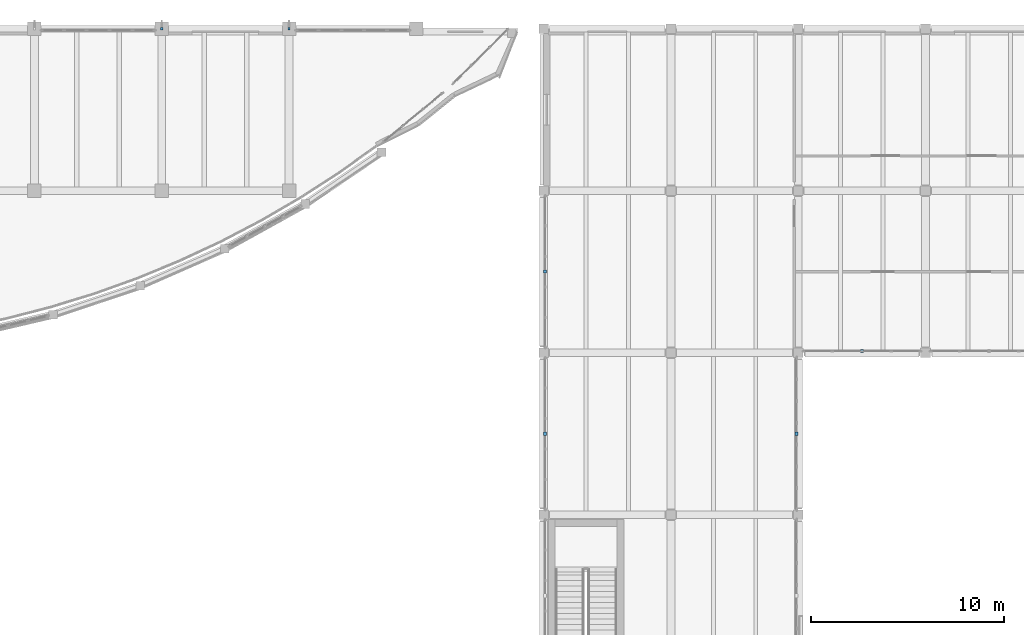
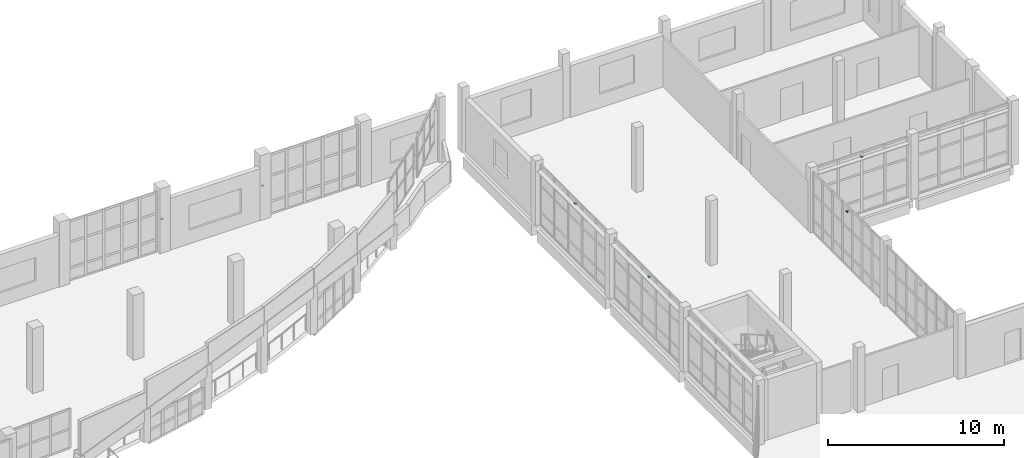
# One storey, part 68 of 83: 6 discrete accessories.
"""IFC4 building model written with IfcOpenShell, lengths in metres."""

from ifc_helpers import new_model, si_unit, direction, frame, origin, origin_2d, place, context, subcontext, project, spatial, rectangle, extrude, material, layer, layer_set, type_object, element, save


model = new_model("IFC4")

# Units and contexts
model_context = context("Model", 3, precision=1e-05, world=origin(), true_north=direction((0.0, 1.0)))
body_context = subcontext(model_context, "Body", "Model", "MODEL_VIEW")
ifc_project = project(units=[si_unit("LENGTHUNIT", "METRE"), si_unit("AREAUNIT", "SQUARE_METRE"), si_unit("VOLUMEUNIT", "CUBIC_METRE"), si_unit("PLANEANGLEUNIT", "RADIAN"), si_unit("MASSUNIT", "GRAM", prefix="KILO")], contexts=[model_context])

# Site, building, storey
site_placement = place(None, origin())
site = spatial("IfcSite", under=ifc_project, at=site_placement, CompositionType="ELEMENT")
building_placement = place(site_placement, origin())
building = spatial("IfcBuilding", under=site, at=building_placement, Name="Qaldarim Faculty of Natural and Applied Sciences", CompositionType="ELEMENT")
storey_placement = place(building_placement, frame((0.0, 0.0, 5.39990234375)))
storey = spatial("IfcBuildingStorey", under=building, at=storey_placement, Name="L01", CompositionType="ELEMENT", Elevation=5.39990234375)

# Discrete accessories
ifc_material = material(Name="Architectural stainless steel 316", Category="steel")
ifc_layer = layer(ifc_material, 0.080078125)
ifc_layer_set = layer_set([ifc_layer], Name="Architectural stainless steel 316")
discrete_accessory_type = type_object("IfcDiscreteAccessoryType", Name="FacadeBracket-SS120", PredefinedType="BRACKET", material=ifc_layer_set)
for number, where, z_axis, x_axis, name in (
    (1, (151.8798828125, 96.60009765625, 3.81005859375), (0.0, 0.0, 1.0), (0.0, 1.0, 0.0), "Solar louvre support bracket SHD-L01-W-X24Y12"),
    (2, (151.8798828125, 105.0, 3.81005859375), (0.0, 0.0, 1.0), (0.0, 1.0, 0.0), "Solar louvre support bracket SHD-L01-W-X24Y13"),
    (3, (164.919921875, 96.60009765625, 3.81005859375), (0.0, 0.0, 1.0), (0.0, 1.0, 0.0), "Solar louvre support bracket SHD-L01-E-X25Y12"),
    (4, (168.300048828125, 100.8798828125, 3.81005859375), (0.0, 0.0, 1.0), (1.0, 0.0, 0.0), "Solar louvre support bracket SHD-L01-S-X26Y13"),
):
    element("IfcDiscreteAccessory", number, at=place(storey_placement, frame(where, z_axis=z_axis, x_axis=x_axis)), inside=storey, type_object=discrete_accessory_type, Name=name, PredefinedType="BRACKET", context=body_context, shape_type="SweptSolid", body=[
        extrude(rectangle(XDim=0.159912109375, YDim=0.159912109375, at=origin_2d()), origin(), (0.0, 0.0, 1.0), 0.080078125),
    ])
for number, where, z_axis, x_axis, name in (
    (5, (132.0, 117.60009765625, 2.06005859375), (0.0, 0.0, 1.0), (1.0, 0.0, 0.0), "North fin bracket FIN-V4N-L01-X21"),
    (6, (138.60009765625, 117.60009765625, 2.06005859375), (0.0, 0.0, 1.0), (1.0, 0.0, 0.0), "North fin bracket FIN-V4N-L01-X22"),
):
    element("IfcDiscreteAccessory", number, at=place(storey_placement, frame(where, z_axis=z_axis, x_axis=x_axis)), inside=storey, type_object=discrete_accessory_type, Name=name, PredefinedType="BRACKET", context=body_context, shape_type="SweptSolid", body=[
        extrude(rectangle(XDim=0.1201171875, YDim=0.1201171875, at=origin_2d()), origin(), (0.0, 0.0, 1.0), 0.080078125),
    ])

save(model, "model.ifc")
